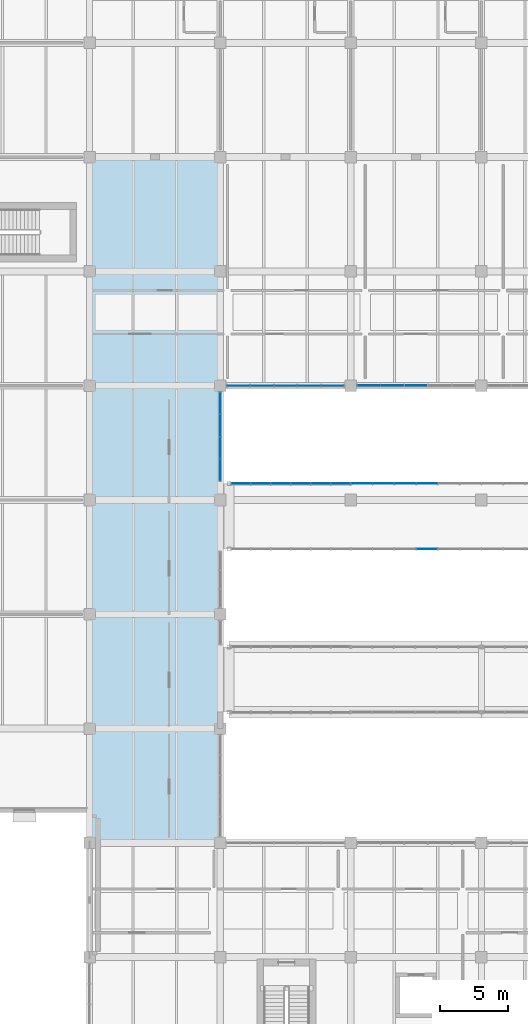
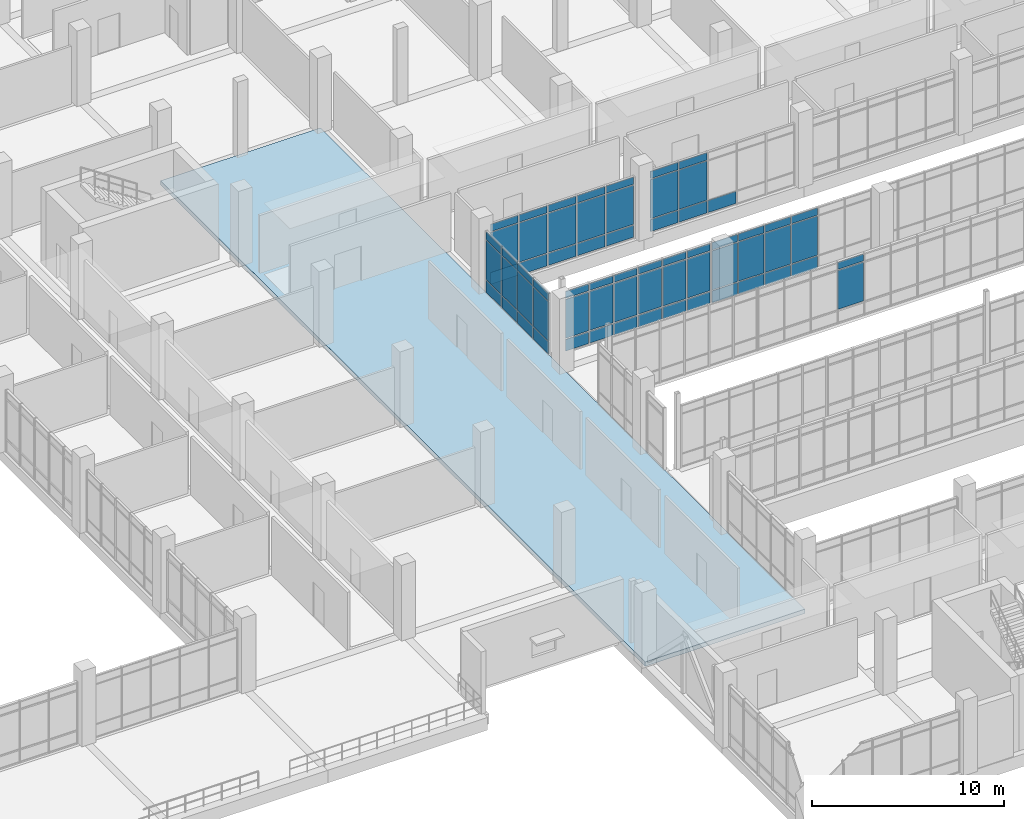
# One storey, part 99 of 152: 66 plates, 1 slab, 6 elements without a shape of their own.
"""IFC4 building model written with IfcOpenShell, lengths in metres."""

from ifc_helpers import new_model, si_unit, direction, frame, origin, origin_2d, place, context, subcontext, project, spatial, polyline, rectangle, outline, extrude, material, layer, layer_set, type_object, element, aggregate, save


model = new_model("IFC4")

# Units and contexts
model_context = context("Model", 3, precision=1e-05, world=origin(), true_north=direction((0.0, 1.0)))
body_context = subcontext(model_context, "Body", "Model", "MODEL_VIEW")
ifc_project = project(units=[si_unit("LENGTHUNIT", "METRE"), si_unit("AREAUNIT", "SQUARE_METRE"), si_unit("VOLUMEUNIT", "CUBIC_METRE"), si_unit("PLANEANGLEUNIT", "RADIAN"), si_unit("MASSUNIT", "GRAM", prefix="KILO")], contexts=[model_context])

# Site, building, storey
site_placement = place(None, origin())
site = spatial("IfcSite", under=ifc_project, at=site_placement, CompositionType="ELEMENT")
building_placement = place(site_placement, origin())
building = spatial("IfcBuilding", under=site, at=building_placement, Name="Oolite Switchyard Hospital", CompositionType="ELEMENT")
storey_placement = place(building_placement, frame((0.0, 0.0, 5.10009765625)))
storey = spatial("IfcBuildingStorey", under=building, at=storey_placement, Name="L01", CompositionType="ELEMENT", Elevation=5.10009765625)

# Curtain wall, plates
ifc_material_1 = material(Name="Thermally broken aluminum frame with laminated impact glazing", Category="aluminium")
curtain_wall_type_1 = type_object("IfcCurtainWallType", Name="CW-UNIT-84X48", PredefinedType="USERDEFINED", material=ifc_material_1)
curtain_wall_1_placement = place(storey_placement, origin())
curtain_wall_1 = element("IfcCurtainWall", 1, at=curtain_wall_1_placement, inside=storey, type_object=curtain_wall_type_1, Name="L01 Unitised Curtain Wall 194", ObjectType="UNITISED", PredefinedType="USERDEFINED")
ifc_material_2 = material(Name="Insulated fluoropolymer-coated aluminum spandrel panel", Category="aluminium")
ifc_layer_1 = layer(ifc_material_2, 0.070068359375)
ifc_layer_set_1 = layer_set([ifc_layer_1], Name="CW-PNL-SPN70")
plate_type_1 = type_object("IfcPlateType", Name="CW-PNL-SPN70", PredefinedType="CURTAIN_PANEL", material=ifc_layer_set_1)
plate_1_placement = place(storey_placement, frame((144.0, 57.52001953125, 0.06005859375), z_axis=(0.0, 0.0, 1.0), x_axis=(0.0, -1.0, 0.0)))
plate_1 = element("IfcPlate", 2, at=plate_1_placement, type_object=plate_type_1, Name="CW-07 panel 1.1", PredefinedType="CURTAIN_PANEL", context=body_context, shape_type="SweptSolid", body=[
    extrude(rectangle(XDim=1.56005859375, YDim=0.070068359375, at=origin_2d()), origin(), (0.0, 0.0, 1.0), 0.760009765625),
])
plate_2_placement = place(storey_placement, frame((144.0, 57.52001953125, 0.8798828125), z_axis=(0.0, 0.0, 1.0), x_axis=(0.0, -1.0, 0.0)))
plate_2 = element("IfcPlate", 3, at=plate_2_placement, type_object=plate_type_1, Name="CW-07 panel 1.2", PredefinedType="CURTAIN_PANEL", context=body_context, shape_type="SweptSolid", body=[
    extrude(rectangle(XDim=1.56005859375, YDim=0.070068359375, at=origin_2d()), origin(), (0.0, 0.0, 1.0), 2.47998046875),
])
plate_3_placement = place(storey_placement, frame((144.0, 57.52001953125, 3.419921875), z_axis=(0.0, 0.0, 1.0), x_axis=(0.0, -1.0, 0.0)))
plate_3 = element("IfcPlate", 4, at=plate_3_placement, type_object=plate_type_1, Name="CW-07 panel 1.3", PredefinedType="CURTAIN_PANEL", context=body_context, shape_type="SweptSolid", body=[
    extrude(rectangle(XDim=1.56005859375, YDim=0.070068359375, at=origin_2d()), origin(), (0.0, 0.0, 1.0), 0.4599609375),
])
plate_4_placement = place(storey_placement, frame((144.0, 55.885009765625, 0.06005859375), z_axis=(0.0, 0.0, 1.0), x_axis=(0.0, -1.0, 0.0)))
plate_4 = element("IfcPlate", 5, at=plate_4_placement, type_object=plate_type_1, Name="CW-07 panel 2.1", PredefinedType="CURTAIN_PANEL", context=body_context, shape_type="SweptSolid", body=[
    extrude(rectangle(XDim=1.590087890625, YDim=0.070068359375, at=origin_2d()), origin(), (0.0, 0.0, 1.0), 0.760009765625),
])
plate_5_placement = place(storey_placement, frame((144.0, 55.885009765625, 0.8798828125), z_axis=(0.0, 0.0, 1.0), x_axis=(0.0, -1.0, 0.0)))
plate_5 = element("IfcPlate", 6, at=plate_5_placement, type_object=plate_type_1, Name="CW-07 panel 2.2", PredefinedType="CURTAIN_PANEL", context=body_context, shape_type="SweptSolid", body=[
    extrude(rectangle(XDim=1.590087890625, YDim=0.070068359375, at=origin_2d()), origin(), (0.0, 0.0, 1.0), 2.47998046875),
])
plate_6_placement = place(storey_placement, frame((144.0, 55.885009765625, 3.419921875), z_axis=(0.0, 0.0, 1.0), x_axis=(0.0, -1.0, 0.0)))
plate_6 = element("IfcPlate", 7, at=plate_6_placement, type_object=plate_type_1, Name="CW-07 panel 2.3", PredefinedType="CURTAIN_PANEL", context=body_context, shape_type="SweptSolid", body=[
    extrude(rectangle(XDim=1.590087890625, YDim=0.070068359375, at=origin_2d()), origin(), (0.0, 0.0, 1.0), 0.4599609375),
])
plate_7_placement = place(storey_placement, frame((144.0, 54.235107421875, 0.06005859375), z_axis=(0.0, 0.0, 1.0), x_axis=(0.0, -1.0, 0.0)))
plate_7 = element("IfcPlate", 8, at=plate_7_placement, type_object=plate_type_1, Name="CW-07 panel 3.1", PredefinedType="CURTAIN_PANEL", context=body_context, shape_type="SweptSolid", body=[
    extrude(rectangle(XDim=1.590087890625, YDim=0.070068359375, at=origin_2d()), origin(), (0.0, 0.0, 1.0), 0.760009765625),
])
plate_8_placement = place(storey_placement, frame((144.0, 54.235107421875, 0.8798828125), z_axis=(0.0, 0.0, 1.0), x_axis=(0.0, -1.0, 0.0)))
plate_8 = element("IfcPlate", 9, at=plate_8_placement, type_object=plate_type_1, Name="CW-07 panel 3.2", PredefinedType="CURTAIN_PANEL", context=body_context, shape_type="SweptSolid", body=[
    extrude(rectangle(XDim=1.590087890625, YDim=0.070068359375, at=origin_2d()), origin(), (0.0, 0.0, 1.0), 2.47998046875),
])
plate_9_placement = place(storey_placement, frame((144.0, 54.235107421875, 3.419921875), z_axis=(0.0, 0.0, 1.0), x_axis=(0.0, -1.0, 0.0)))
plate_9 = element("IfcPlate", 10, at=plate_9_placement, type_object=plate_type_1, Name="CW-07 panel 3.3", PredefinedType="CURTAIN_PANEL", context=body_context, shape_type="SweptSolid", body=[
    extrude(rectangle(XDim=1.590087890625, YDim=0.070068359375, at=origin_2d()), origin(), (0.0, 0.0, 1.0), 0.4599609375),
])
plate_10_placement = place(storey_placement, frame((144.0, 52.60009765625, 0.06005859375), z_axis=(0.0, 0.0, 1.0), x_axis=(0.0, -1.0, 0.0)))
plate_10 = element("IfcPlate", 11, at=plate_10_placement, type_object=plate_type_1, Name="CW-07 panel 4.1", PredefinedType="CURTAIN_PANEL", context=body_context, shape_type="SweptSolid", body=[
    extrude(rectangle(XDim=1.56005859375, YDim=0.070068359375, at=origin_2d()), origin(), (0.0, 0.0, 1.0), 0.760009765625),
])
plate_11_placement = place(storey_placement, frame((144.0, 52.60009765625, 0.8798828125), z_axis=(0.0, 0.0, 1.0), x_axis=(0.0, -1.0, 0.0)))
plate_11 = element("IfcPlate", 12, at=plate_11_placement, type_object=plate_type_1, Name="CW-07 panel 4.2", PredefinedType="CURTAIN_PANEL", context=body_context, shape_type="SweptSolid", body=[
    extrude(rectangle(XDim=1.56005859375, YDim=0.070068359375, at=origin_2d()), origin(), (0.0, 0.0, 1.0), 2.47998046875),
])
plate_12_placement = place(storey_placement, frame((144.0, 52.60009765625, 3.419921875), z_axis=(0.0, 0.0, 1.0), x_axis=(0.0, -1.0, 0.0)))
plate_12 = element("IfcPlate", 13, at=plate_12_placement, type_object=plate_type_1, Name="CW-07 panel 4.3", PredefinedType="CURTAIN_PANEL", context=body_context, shape_type="SweptSolid", body=[
    extrude(rectangle(XDim=1.56005859375, YDim=0.070068359375, at=origin_2d()), origin(), (0.0, 0.0, 1.0), 0.4599609375),
])
aggregate(curtain_wall_1, [plate_1, plate_2, plate_3, plate_4, plate_5, plate_6, plate_7, plate_8, plate_9, plate_10, plate_11, plate_12])

curtain_wall_type_2 = type_object("IfcCurtainWallType", Name="CW-BRG-96X38", PredefinedType="USERDEFINED", material=ifc_material_1)
curtain_wall_2_placement = place(storey_placement, origin())
curtain_wall_2 = element("IfcCurtainWall", 14, at=curtain_wall_2_placement, inside=storey, type_object=curtain_wall_type_2, Name="L01 Unitised Curtain Wall 127", ObjectType="UNITISED", PredefinedType="USERDEFINED")
ifc_material_3 = material(Name="Laminated hurricane-impact insulated glazing unit", Category="glass")
ifc_layer_2 = layer(ifc_material_3, 0.028076171875)
ifc_layer_set_2 = layer_set([ifc_layer_2], Name="CW-PNL-VIS28")
plate_type_2 = type_object("IfcPlateType", Name="CW-PNL-VIS28", PredefinedType="CURTAIN_PANEL", material=ifc_layer_set_2)
plate_13_placement = place(storey_placement, frame((145.544677734375, 51.60009765625, 0.07470703125), z_axis=(0.0, 0.0, 1.0), x_axis=(1.0, 0.0, 0.0)))
plate_13 = element("IfcPlate", 15, at=plate_13_placement, type_object=plate_type_2, Name="CW-12 panel 1.1", PredefinedType="CURTAIN_PANEL", context=body_context, shape_type="SweptSolid", body=[
    extrude(rectangle(XDim=1.35546875, YDim=0.028076171875, at=origin_2d()), origin(), (0.0, 0.0, 1.0), 0.737548828125),
])
plate_14_placement = place(storey_placement, frame((145.544677734375, 51.60009765625, 0.88720703125), z_axis=(0.0, 0.0, 1.0), x_axis=(1.0, 0.0, 0.0)))
plate_14 = element("IfcPlate", 16, at=plate_14_placement, type_object=plate_type_2, Name="CW-12 panel 1.2", PredefinedType="CURTAIN_PANEL", context=body_context, shape_type="SweptSolid", body=[
    extrude(rectangle(XDim=1.35546875, YDim=0.028076171875, at=origin_2d()), origin(), (0.0, 0.0, 1.0), 2.465087890625),
])
plate_15_placement = place(storey_placement, frame((145.544677734375, 51.60009765625, 3.427490234375), z_axis=(0.0, 0.0, 1.0), x_axis=(1.0, 0.0, 0.0)))
plate_15 = element("IfcPlate", 17, at=plate_15_placement, type_object=plate_type_2, Name="CW-12 panel 1.3", PredefinedType="CURTAIN_PANEL", context=body_context, shape_type="SweptSolid", body=[
    extrude(rectangle(XDim=1.35546875, YDim=0.028076171875, at=origin_2d()), origin(), (0.0, 0.0, 1.0), 0.4375),
])
plate_16_placement = place(storey_placement, frame((146.993896484375, 51.60009765625, 0.07470703125), z_axis=(0.0, 0.0, 1.0), x_axis=(1.0, 0.0, 0.0)))
plate_16 = element("IfcPlate", 18, at=plate_16_placement, type_object=plate_type_2, Name="CW-12 panel 2.1", PredefinedType="CURTAIN_PANEL", context=body_context, shape_type="SweptSolid", body=[
    extrude(rectangle(XDim=1.39306640625, YDim=0.028076171875, at=origin_2d()), origin(), (0.0, 0.0, 1.0), 0.737548828125),
])
plate_17_placement = place(storey_placement, frame((146.993896484375, 51.60009765625, 0.88720703125), z_axis=(0.0, 0.0, 1.0), x_axis=(1.0, 0.0, 0.0)))
plate_17 = element("IfcPlate", 19, at=plate_17_placement, type_object=plate_type_2, Name="CW-12 panel 2.2", PredefinedType="CURTAIN_PANEL", context=body_context, shape_type="SweptSolid", body=[
    extrude(rectangle(XDim=1.39306640625, YDim=0.028076171875, at=origin_2d()), origin(), (0.0, 0.0, 1.0), 2.465087890625),
])
plate_18_placement = place(storey_placement, frame((146.993896484375, 51.60009765625, 3.427490234375), z_axis=(0.0, 0.0, 1.0), x_axis=(1.0, 0.0, 0.0)))
plate_18 = element("IfcPlate", 20, at=plate_18_placement, type_object=plate_type_2, Name="CW-12 panel 2.3", PredefinedType="CURTAIN_PANEL", context=body_context, shape_type="SweptSolid", body=[
    extrude(rectangle(XDim=1.39306640625, YDim=0.028076171875, at=origin_2d()), origin(), (0.0, 0.0, 1.0), 0.4375),
])
plate_19_placement = place(storey_placement, frame((148.4619140625, 51.60009765625, 0.07470703125), z_axis=(0.0, 0.0, 1.0), x_axis=(1.0, 0.0, 0.0)))
plate_19 = element("IfcPlate", 21, at=plate_19_placement, type_object=plate_type_2, Name="CW-12 panel 3.1", PredefinedType="CURTAIN_PANEL", context=body_context, shape_type="SweptSolid", body=[
    extrude(rectangle(XDim=1.39306640625, YDim=0.028076171875, at=origin_2d()), origin(), (0.0, 0.0, 1.0), 0.737548828125),
])
plate_20_placement = place(storey_placement, frame((148.4619140625, 51.60009765625, 0.88720703125), z_axis=(0.0, 0.0, 1.0), x_axis=(1.0, 0.0, 0.0)))
plate_20 = element("IfcPlate", 22, at=plate_20_placement, type_object=plate_type_2, Name="CW-12 panel 3.2", PredefinedType="CURTAIN_PANEL", context=body_context, shape_type="SweptSolid", body=[
    extrude(rectangle(XDim=1.39306640625, YDim=0.028076171875, at=origin_2d()), origin(), (0.0, 0.0, 1.0), 2.465087890625),
])
plate_21_placement = place(storey_placement, frame((148.4619140625, 51.60009765625, 3.427490234375), z_axis=(0.0, 0.0, 1.0), x_axis=(1.0, 0.0, 0.0)))
plate_21 = element("IfcPlate", 23, at=plate_21_placement, type_object=plate_type_2, Name="CW-12 panel 3.3", PredefinedType="CURTAIN_PANEL", context=body_context, shape_type="SweptSolid", body=[
    extrude(rectangle(XDim=1.39306640625, YDim=0.028076171875, at=origin_2d()), origin(), (0.0, 0.0, 1.0), 0.4375),
])
plate_22_placement = place(storey_placement, frame((149.929931640625, 51.60009765625, 0.07470703125), z_axis=(0.0, 0.0, 1.0), x_axis=(1.0, 0.0, 0.0)))
plate_22 = element("IfcPlate", 24, at=plate_22_placement, type_object=plate_type_2, Name="CW-12 panel 4.1", PredefinedType="CURTAIN_PANEL", context=body_context, shape_type="SweptSolid", body=[
    extrude(rectangle(XDim=1.39306640625, YDim=0.028076171875, at=origin_2d()), origin(), (0.0, 0.0, 1.0), 0.737548828125),
])
plate_23_placement = place(storey_placement, frame((149.929931640625, 51.60009765625, 0.88720703125), z_axis=(0.0, 0.0, 1.0), x_axis=(1.0, 0.0, 0.0)))
plate_23 = element("IfcPlate", 25, at=plate_23_placement, type_object=plate_type_2, Name="CW-12 panel 4.2", PredefinedType="CURTAIN_PANEL", context=body_context, shape_type="SweptSolid", body=[
    extrude(rectangle(XDim=1.39306640625, YDim=0.028076171875, at=origin_2d()), origin(), (0.0, 0.0, 1.0), 2.465087890625),
])
plate_24_placement = place(storey_placement, frame((149.929931640625, 51.60009765625, 3.427490234375), z_axis=(0.0, 0.0, 1.0), x_axis=(1.0, 0.0, 0.0)))
plate_24 = element("IfcPlate", 26, at=plate_24_placement, type_object=plate_type_2, Name="CW-12 panel 4.3", PredefinedType="CURTAIN_PANEL", context=body_context, shape_type="SweptSolid", body=[
    extrude(rectangle(XDim=1.39306640625, YDim=0.028076171875, at=origin_2d()), origin(), (0.0, 0.0, 1.0), 0.4375),
])
plate_25_placement = place(storey_placement, frame((151.39794921875, 51.60009765625, 0.07470703125), z_axis=(0.0, 0.0, 1.0), x_axis=(1.0, 0.0, 0.0)))
plate_25 = element("IfcPlate", 27, at=plate_25_placement, type_object=plate_type_2, Name="CW-12 panel 5.1", PredefinedType="CURTAIN_PANEL", context=body_context, shape_type="SweptSolid", body=[
    extrude(rectangle(XDim=1.39306640625, YDim=0.028076171875, at=origin_2d()), origin(), (0.0, 0.0, 1.0), 0.737548828125),
])
plate_26_placement = place(storey_placement, frame((151.39794921875, 51.60009765625, 0.88720703125), z_axis=(0.0, 0.0, 1.0), x_axis=(1.0, 0.0, 0.0)))
plate_26 = element("IfcPlate", 28, at=plate_26_placement, type_object=plate_type_2, Name="CW-12 panel 5.2", PredefinedType="CURTAIN_PANEL", context=body_context, shape_type="SweptSolid", body=[
    extrude(rectangle(XDim=1.39306640625, YDim=0.028076171875, at=origin_2d()), origin(), (0.0, 0.0, 1.0), 2.465087890625),
])
plate_27_placement = place(storey_placement, frame((151.39794921875, 51.60009765625, 3.427490234375), z_axis=(0.0, 0.0, 1.0), x_axis=(1.0, 0.0, 0.0)))
plate_27 = element("IfcPlate", 29, at=plate_27_placement, type_object=plate_type_2, Name="CW-12 panel 5.3", PredefinedType="CURTAIN_PANEL", context=body_context, shape_type="SweptSolid", body=[
    extrude(rectangle(XDim=1.39306640625, YDim=0.028076171875, at=origin_2d()), origin(), (0.0, 0.0, 1.0), 0.4375),
])
plate_28_placement = place(storey_placement, frame((152.84716796875, 51.60009765625, 0.07470703125), z_axis=(0.0, 0.0, 1.0), x_axis=(1.0, 0.0, 0.0)))
plate_28 = element("IfcPlate", 30, at=plate_28_placement, type_object=plate_type_2, Name="CW-12 panel 6.1", PredefinedType="CURTAIN_PANEL", context=body_context, shape_type="SweptSolid", body=[
    extrude(rectangle(XDim=1.35546875, YDim=0.028076171875, at=origin_2d()), origin(), (0.0, 0.0, 1.0), 0.737548828125),
])
plate_29_placement = place(storey_placement, frame((152.84716796875, 51.60009765625, 0.88720703125), z_axis=(0.0, 0.0, 1.0), x_axis=(1.0, 0.0, 0.0)))
plate_29 = element("IfcPlate", 31, at=plate_29_placement, type_object=plate_type_2, Name="CW-12 panel 6.2", PredefinedType="CURTAIN_PANEL", context=body_context, shape_type="SweptSolid", body=[
    extrude(rectangle(XDim=1.35546875, YDim=0.028076171875, at=origin_2d()), origin(), (0.0, 0.0, 1.0), 2.465087890625),
])
plate_30_placement = place(storey_placement, frame((152.84716796875, 51.60009765625, 3.427490234375), z_axis=(0.0, 0.0, 1.0), x_axis=(1.0, 0.0, 0.0)))
plate_30 = element("IfcPlate", 32, at=plate_30_placement, type_object=plate_type_2, Name="CW-12 panel 6.3", PredefinedType="CURTAIN_PANEL", context=body_context, shape_type="SweptSolid", body=[
    extrude(rectangle(XDim=1.35546875, YDim=0.028076171875, at=origin_2d()), origin(), (0.0, 0.0, 1.0), 0.4375),
])
aggregate(curtain_wall_2, [plate_13, plate_14, plate_15, plate_16, plate_17, plate_18, plate_19, plate_20, plate_21, plate_22, plate_23, plate_24, plate_25, plate_26, plate_27, plate_28, plate_29, plate_30])

curtain_wall_type_3 = type_object("IfcCurtainWallType", Name="CW-UNIT-96X48", PredefinedType="USERDEFINED", material=ifc_material_1)
curtain_wall_3_placement = place(storey_placement, origin())
curtain_wall_3 = element("IfcCurtainWall", 33, at=curtain_wall_3_placement, inside=storey, type_object=curtain_wall_type_3, Name="L01 Unitised Curtain Wall 130", ObjectType="UNITISED", PredefinedType="USERDEFINED")
plate_31_placement = place(storey_placement, frame((152.269287109375, 58.800048828125, 0.06005859375), z_axis=(0.0, 0.0, 1.0), x_axis=(-1.0, 0.0, 0.0)))
plate_31 = element("IfcPlate", 34, at=plate_31_placement, type_object=plate_type_2, Name="CW-02 panel 1.1", PredefinedType="CURTAIN_PANEL", context=body_context, shape_type="SweptSolid", body=[
    extrude(rectangle(XDim=1.631591796875, YDim=0.028076171875, at=origin_2d()), origin(), (0.0, 0.0, 1.0), 0.760009765625),
])
plate_32_placement = place(storey_placement, frame((152.269287109375, 58.800048828125, 0.8798828125), z_axis=(0.0, 0.0, 1.0), x_axis=(-1.0, 0.0, 0.0)))
plate_32 = element("IfcPlate", 35, at=plate_32_placement, type_object=plate_type_2, Name="CW-02 panel 1.2", PredefinedType="CURTAIN_PANEL", context=body_context, shape_type="SweptSolid", body=[
    extrude(rectangle(XDim=1.631591796875, YDim=0.028076171875, at=origin_2d()), origin(), (0.0, 0.0, 1.0), 2.47998046875),
])
plate_33_placement = place(storey_placement, frame((152.269287109375, 58.800048828125, 3.419921875), z_axis=(0.0, 0.0, 1.0), x_axis=(-1.0, 0.0, 0.0)))
plate_33 = element("IfcPlate", 36, at=plate_33_placement, type_object=plate_type_2, Name="CW-02 panel 1.3", PredefinedType="CURTAIN_PANEL", context=body_context, shape_type="SweptSolid", body=[
    extrude(rectangle(XDim=1.631591796875, YDim=0.028076171875, at=origin_2d()), origin(), (0.0, 0.0, 1.0), 0.4599609375),
])
plate_34_placement = place(storey_placement, frame((150.5439453125, 58.800048828125, 0.06005859375), z_axis=(0.0, 0.0, 1.0), x_axis=(-1.0, 0.0, 0.0)))
plate_34 = element("IfcPlate", 37, at=plate_34_placement, type_object=plate_type_2, Name="CW-02 panel 2.1", PredefinedType="CURTAIN_PANEL", context=body_context, shape_type="SweptSolid", body=[
    extrude(rectangle(XDim=1.6689453125, YDim=0.028076171875, at=origin_2d()), origin(), (0.0, 0.0, 1.0), 0.760009765625),
])
plate_35_placement = place(storey_placement, frame((150.5439453125, 58.800048828125, 0.8798828125), z_axis=(0.0, 0.0, 1.0), x_axis=(-1.0, 0.0, 0.0)))
plate_35 = element("IfcPlate", 38, at=plate_35_placement, type_object=plate_type_2, Name="CW-02 panel 2.2", PredefinedType="CURTAIN_PANEL", context=body_context, shape_type="SweptSolid", body=[
    extrude(rectangle(XDim=1.6689453125, YDim=0.028076171875, at=origin_2d()), origin(), (0.0, 0.0, 1.0), 2.47998046875),
])
plate_36_placement = place(storey_placement, frame((150.5439453125, 58.800048828125, 3.419921875), z_axis=(0.0, 0.0, 1.0), x_axis=(-1.0, 0.0, 0.0)))
plate_36 = element("IfcPlate", 39, at=plate_36_placement, type_object=plate_type_2, Name="CW-02 panel 2.3", PredefinedType="CURTAIN_PANEL", context=body_context, shape_type="SweptSolid", body=[
    extrude(rectangle(XDim=1.6689453125, YDim=0.028076171875, at=origin_2d()), origin(), (0.0, 0.0, 1.0), 0.4599609375),
])
plate_37_placement = place(storey_placement, frame((148.800048828125, 58.800048828125, 0.06005859375), z_axis=(0.0, 0.0, 1.0), x_axis=(-1.0, 0.0, 0.0)))
plate_37 = element("IfcPlate", 40, at=plate_37_placement, type_object=plate_type_2, Name="CW-02 panel 3.1", PredefinedType="CURTAIN_PANEL", context=body_context, shape_type="SweptSolid", body=[
    extrude(rectangle(XDim=1.6689453125, YDim=0.028076171875, at=origin_2d()), origin(), (0.0, 0.0, 1.0), 0.760009765625),
])
plate_38_placement = place(storey_placement, frame((148.800048828125, 58.800048828125, 0.8798828125), z_axis=(0.0, 0.0, 1.0), x_axis=(-1.0, 0.0, 0.0)))
plate_38 = element("IfcPlate", 41, at=plate_38_placement, type_object=plate_type_2, Name="CW-02 panel 3.2", PredefinedType="CURTAIN_PANEL", context=body_context, shape_type="SweptSolid", body=[
    extrude(rectangle(XDim=1.6689453125, YDim=0.028076171875, at=origin_2d()), origin(), (0.0, 0.0, 1.0), 2.47998046875),
])
plate_39_placement = place(storey_placement, frame((148.800048828125, 58.800048828125, 3.419921875), z_axis=(0.0, 0.0, 1.0), x_axis=(-1.0, 0.0, 0.0)))
plate_39 = element("IfcPlate", 42, at=plate_39_placement, type_object=plate_type_2, Name="CW-02 panel 3.3", PredefinedType="CURTAIN_PANEL", context=body_context, shape_type="SweptSolid", body=[
    extrude(rectangle(XDim=1.6689453125, YDim=0.028076171875, at=origin_2d()), origin(), (0.0, 0.0, 1.0), 0.4599609375),
])
plate_40_placement = place(storey_placement, frame((147.055908203125, 58.800048828125, 0.06005859375), z_axis=(0.0, 0.0, 1.0), x_axis=(-1.0, 0.0, 0.0)))
plate_40 = element("IfcPlate", 43, at=plate_40_placement, type_object=plate_type_2, Name="CW-02 panel 4.1", PredefinedType="CURTAIN_PANEL", context=body_context, shape_type="SweptSolid", body=[
    extrude(rectangle(XDim=1.6689453125, YDim=0.028076171875, at=origin_2d()), origin(), (0.0, 0.0, 1.0), 0.760009765625),
])
plate_41_placement = place(storey_placement, frame((147.055908203125, 58.800048828125, 0.8798828125), z_axis=(0.0, 0.0, 1.0), x_axis=(-1.0, 0.0, 0.0)))
plate_41 = element("IfcPlate", 44, at=plate_41_placement, type_object=plate_type_2, Name="CW-02 panel 4.2", PredefinedType="CURTAIN_PANEL", context=body_context, shape_type="SweptSolid", body=[
    extrude(rectangle(XDim=1.6689453125, YDim=0.028076171875, at=origin_2d()), origin(), (0.0, 0.0, 1.0), 2.47998046875),
])
plate_42_placement = place(storey_placement, frame((147.055908203125, 58.800048828125, 3.419921875), z_axis=(0.0, 0.0, 1.0), x_axis=(-1.0, 0.0, 0.0)))
plate_42 = element("IfcPlate", 45, at=plate_42_placement, type_object=plate_type_2, Name="CW-02 panel 4.3", PredefinedType="CURTAIN_PANEL", context=body_context, shape_type="SweptSolid", body=[
    extrude(rectangle(XDim=1.6689453125, YDim=0.028076171875, at=origin_2d()), origin(), (0.0, 0.0, 1.0), 0.4599609375),
])
plate_43_placement = place(storey_placement, frame((145.330810546875, 58.800048828125, 0.06005859375), z_axis=(0.0, 0.0, 1.0), x_axis=(-1.0, 0.0, 0.0)))
plate_43 = element("IfcPlate", 46, at=plate_43_placement, type_object=plate_type_2, Name="CW-02 panel 5.1", PredefinedType="CURTAIN_PANEL", context=body_context, shape_type="SweptSolid", body=[
    extrude(rectangle(XDim=1.631591796875, YDim=0.028076171875, at=origin_2d()), origin(), (0.0, 0.0, 1.0), 0.760009765625),
])
plate_44_placement = place(storey_placement, frame((145.330810546875, 58.800048828125, 0.8798828125), z_axis=(0.0, 0.0, 1.0), x_axis=(-1.0, 0.0, 0.0)))
plate_44 = element("IfcPlate", 47, at=plate_44_placement, type_object=plate_type_2, Name="CW-02 panel 5.2", PredefinedType="CURTAIN_PANEL", context=body_context, shape_type="SweptSolid", body=[
    extrude(rectangle(XDim=1.631591796875, YDim=0.028076171875, at=origin_2d()), origin(), (0.0, 0.0, 1.0), 2.47998046875),
])
plate_45_placement = place(storey_placement, frame((145.330810546875, 58.800048828125, 3.419921875), z_axis=(0.0, 0.0, 1.0), x_axis=(-1.0, 0.0, 0.0)))
plate_45 = element("IfcPlate", 48, at=plate_45_placement, type_object=plate_type_2, Name="CW-02 panel 5.3", PredefinedType="CURTAIN_PANEL", context=body_context, shape_type="SweptSolid", body=[
    extrude(rectangle(XDim=1.631591796875, YDim=0.028076171875, at=origin_2d()), origin(), (0.0, 0.0, 1.0), 0.4599609375),
])
aggregate(curtain_wall_3, [plate_31, plate_32, plate_33, plate_34, plate_35, plate_36, plate_37, plate_38, plate_39, plate_40, plate_41, plate_42, plate_43, plate_44, plate_45])

curtain_wall_4_placement = place(storey_placement, origin())
curtain_wall_4 = element("IfcCurtainWall", 49, at=curtain_wall_4_placement, inside=storey, type_object=curtain_wall_type_2, Name="L01 Unitised Curtain Wall 125", ObjectType="UNITISED", PredefinedType="USERDEFINED")
ifc_layer_3 = layer(ifc_material_3, 0.035888671875)
ifc_layer_set_3 = layer_set([ifc_layer_3], Name="CW-PNL-VIS36")
plate_type_3 = type_object("IfcPlateType", Name="CW-PNL-VIS36", PredefinedType="CURTAIN_PANEL", material=ifc_layer_set_3)
plate_46_placement = place(storey_placement, frame((159.199951171875, 46.800048828125, 0.88720703125), z_axis=(0.0, 0.0, 1.0), x_axis=(-1.0, 0.0, 0.0)))
plate_46 = element("IfcPlate", 50, at=plate_46_placement, type_object=plate_type_3, Name="CW-12 panel 9.2", PredefinedType="CURTAIN_PANEL", context=body_context, shape_type="SweptSolid", body=[
    extrude(rectangle(XDim=1.5400390625, YDim=0.035888671875, at=origin_2d()), origin(), (0.0, 0.0, 1.0), 2.465087890625),
])
plate_47_placement = place(storey_placement, frame((159.199951171875, 46.800048828125, 3.427490234375), z_axis=(0.0, 0.0, 1.0), x_axis=(-1.0, 0.0, 0.0)))
plate_47 = element("IfcPlate", 51, at=plate_47_placement, type_object=plate_type_3, Name="CW-12 panel 9.3", PredefinedType="CURTAIN_PANEL", context=body_context, shape_type="SweptSolid", body=[
    extrude(rectangle(XDim=1.5400390625, YDim=0.035888671875, at=origin_2d()), origin(), (0.0, 0.0, 1.0), 0.4375),
])
aggregate(curtain_wall_4, [plate_46, plate_47])

curtain_wall_5_placement = place(storey_placement, origin())
curtain_wall_5 = element("IfcCurtainWall", 52, at=curtain_wall_5_placement, inside=storey, type_object=curtain_wall_type_2, Name="L01 Unitised Curtain Wall 128", ObjectType="UNITISED", PredefinedType="USERDEFINED")
plate_48_placement = place(storey_placement, frame((154.4150390625, 51.60009765625, 0.06005859375), z_axis=(0.0, 0.0, 1.0), x_axis=(1.0, 0.0, 0.0)))
plate_48 = element("IfcPlate", 53, at=plate_48_placement, type_object=plate_type_3, Name="CW-12 panel 1.1", PredefinedType="CURTAIN_PANEL", context=body_context, shape_type="SweptSolid", body=[
    extrude(rectangle(XDim=1.510009765625, YDim=0.035888671875, at=origin_2d()), origin(), (0.0, 0.0, 1.0), 0.760009765625),
])
plate_49_placement = place(storey_placement, frame((154.4150390625, 51.60009765625, 0.8798828125), z_axis=(0.0, 0.0, 1.0), x_axis=(1.0, 0.0, 0.0)))
plate_49 = element("IfcPlate", 54, at=plate_49_placement, type_object=plate_type_3, Name="CW-12 panel 1.2", PredefinedType="CURTAIN_PANEL", context=body_context, shape_type="SweptSolid", body=[
    extrude(rectangle(XDim=1.510009765625, YDim=0.035888671875, at=origin_2d()), origin(), (0.0, 0.0, 1.0), 2.47998046875),
])
plate_50_placement = place(storey_placement, frame((154.4150390625, 51.60009765625, 3.419921875), z_axis=(0.0, 0.0, 1.0), x_axis=(1.0, 0.0, 0.0)))
plate_50 = element("IfcPlate", 55, at=plate_50_placement, type_object=plate_type_3, Name="CW-12 panel 1.3", PredefinedType="CURTAIN_PANEL", context=body_context, shape_type="SweptSolid", body=[
    extrude(rectangle(XDim=1.510009765625, YDim=0.035888671875, at=origin_2d()), origin(), (0.0, 0.0, 1.0), 0.4599609375),
])
plate_51_placement = place(storey_placement, frame((156.0, 51.60009765625, 0.06005859375), z_axis=(0.0, 0.0, 1.0), x_axis=(1.0, 0.0, 0.0)))
plate_51 = element("IfcPlate", 56, at=plate_51_placement, type_object=plate_type_3, Name="CW-12 panel 2.1", PredefinedType="CURTAIN_PANEL", context=body_context, shape_type="SweptSolid", body=[
    extrude(rectangle(XDim=1.5400390625, YDim=0.035888671875, at=origin_2d()), origin(), (0.0, 0.0, 1.0), 0.760009765625),
])
plate_52_placement = place(storey_placement, frame((156.0, 51.60009765625, 0.8798828125), z_axis=(0.0, 0.0, 1.0), x_axis=(1.0, 0.0, 0.0)))
plate_52 = element("IfcPlate", 57, at=plate_52_placement, type_object=plate_type_3, Name="CW-12 panel 2.2", PredefinedType="CURTAIN_PANEL", context=body_context, shape_type="SweptSolid", body=[
    extrude(rectangle(XDim=1.5400390625, YDim=0.035888671875, at=origin_2d()), origin(), (0.0, 0.0, 1.0), 2.47998046875),
])
plate_53_placement = place(storey_placement, frame((156.0, 51.60009765625, 3.419921875), z_axis=(0.0, 0.0, 1.0), x_axis=(1.0, 0.0, 0.0)))
plate_53 = element("IfcPlate", 58, at=plate_53_placement, type_object=plate_type_3, Name="CW-12 panel 2.3", PredefinedType="CURTAIN_PANEL", context=body_context, shape_type="SweptSolid", body=[
    extrude(rectangle(XDim=1.5400390625, YDim=0.035888671875, at=origin_2d()), origin(), (0.0, 0.0, 1.0), 0.4599609375),
])
plate_54_placement = place(storey_placement, frame((157.60009765625, 51.60009765625, 0.06005859375), z_axis=(0.0, 0.0, 1.0), x_axis=(1.0, 0.0, 0.0)))
plate_54 = element("IfcPlate", 59, at=plate_54_placement, type_object=plate_type_3, Name="CW-12 panel 3.1", PredefinedType="CURTAIN_PANEL", context=body_context, shape_type="SweptSolid", body=[
    extrude(rectangle(XDim=1.5400390625, YDim=0.035888671875, at=origin_2d()), origin(), (0.0, 0.0, 1.0), 0.760009765625),
])
plate_55_placement = place(storey_placement, frame((157.60009765625, 51.60009765625, 0.8798828125), z_axis=(0.0, 0.0, 1.0), x_axis=(1.0, 0.0, 0.0)))
plate_55 = element("IfcPlate", 60, at=plate_55_placement, type_object=plate_type_3, Name="CW-12 panel 3.2", PredefinedType="CURTAIN_PANEL", context=body_context, shape_type="SweptSolid", body=[
    extrude(rectangle(XDim=1.5400390625, YDim=0.035888671875, at=origin_2d()), origin(), (0.0, 0.0, 1.0), 2.47998046875),
])
plate_56_placement = place(storey_placement, frame((157.60009765625, 51.60009765625, 3.419921875), z_axis=(0.0, 0.0, 1.0), x_axis=(1.0, 0.0, 0.0)))
plate_56 = element("IfcPlate", 61, at=plate_56_placement, type_object=plate_type_3, Name="CW-12 panel 3.3", PredefinedType="CURTAIN_PANEL", context=body_context, shape_type="SweptSolid", body=[
    extrude(rectangle(XDim=1.5400390625, YDim=0.035888671875, at=origin_2d()), origin(), (0.0, 0.0, 1.0), 0.4599609375),
])
plate_57_placement = place(storey_placement, frame((159.199951171875, 51.60009765625, 0.06005859375), z_axis=(0.0, 0.0, 1.0), x_axis=(1.0, 0.0, 0.0)))
plate_57 = element("IfcPlate", 62, at=plate_57_placement, type_object=plate_type_3, Name="CW-12 panel 4.1", PredefinedType="CURTAIN_PANEL", context=body_context, shape_type="SweptSolid", body=[
    extrude(rectangle(XDim=1.5400390625, YDim=0.035888671875, at=origin_2d()), origin(), (0.0, 0.0, 1.0), 0.760009765625),
])
plate_58_placement = place(storey_placement, frame((159.199951171875, 51.60009765625, 0.8798828125), z_axis=(0.0, 0.0, 1.0), x_axis=(1.0, 0.0, 0.0)))
plate_58 = element("IfcPlate", 63, at=plate_58_placement, type_object=plate_type_3, Name="CW-12 panel 4.2", PredefinedType="CURTAIN_PANEL", context=body_context, shape_type="SweptSolid", body=[
    extrude(rectangle(XDim=1.5400390625, YDim=0.035888671875, at=origin_2d()), origin(), (0.0, 0.0, 1.0), 2.47998046875),
])
plate_59_placement = place(storey_placement, frame((159.199951171875, 51.60009765625, 3.419921875), z_axis=(0.0, 0.0, 1.0), x_axis=(1.0, 0.0, 0.0)))
plate_59 = element("IfcPlate", 64, at=plate_59_placement, type_object=plate_type_3, Name="CW-12 panel 4.3", PredefinedType="CURTAIN_PANEL", context=body_context, shape_type="SweptSolid", body=[
    extrude(rectangle(XDim=1.5400390625, YDim=0.035888671875, at=origin_2d()), origin(), (0.0, 0.0, 1.0), 0.4599609375),
])
aggregate(curtain_wall_5, [plate_48, plate_49, plate_50, plate_51, plate_52, plate_53, plate_54, plate_55, plate_56, plate_57, plate_58, plate_59])

curtain_wall_6_placement = place(storey_placement, origin())
curtain_wall_6 = element("IfcCurtainWall", 65, at=curtain_wall_6_placement, inside=storey, type_object=curtain_wall_type_3, Name="L01 Unitised Curtain Wall 132", ObjectType="UNITISED", PredefinedType="USERDEFINED")
ifc_layer_4 = layer(ifc_material_3, 0.0419921875)
ifc_layer_set_4 = layer_set([ifc_layer_4], Name="CW-PNL-VIS42")
plate_type_4 = type_object("IfcPlateType", Name="CW-PNL-VIS42", PredefinedType="CURTAIN_PANEL", material=ifc_layer_set_4)
plate_60_placement = place(storey_placement, frame((158.39990234375, 58.800048828125, 0.06005859375), z_axis=(0.0, 0.0, 1.0), x_axis=(-1.0, 0.0, 0.0)))
plate_60 = element("IfcPlate", 66, at=plate_60_placement, type_object=plate_type_4, Name="CW-02 panel 3.1", PredefinedType="CURTAIN_PANEL", context=body_context, shape_type="SweptSolid", body=[
    extrude(rectangle(XDim=1.674072265625, YDim=0.0419921875, at=origin_2d()), origin(), (0.0, 0.0, 1.0), 0.760009765625),
])
plate_61_placement = place(storey_placement, frame((156.656005859375, 58.800048828125, 0.06005859375), z_axis=(0.0, 0.0, 1.0), x_axis=(-1.0, 0.0, 0.0)))
plate_61 = element("IfcPlate", 67, at=plate_61_placement, type_object=plate_type_4, Name="CW-02 panel 4.1", PredefinedType="CURTAIN_PANEL", context=body_context, shape_type="SweptSolid", body=[
    extrude(rectangle(XDim=1.674072265625, YDim=0.0419921875, at=origin_2d()), origin(), (0.0, 0.0, 1.0), 0.760009765625),
])
plate_62_placement = place(storey_placement, frame((156.656005859375, 58.800048828125, 0.8798828125), z_axis=(0.0, 0.0, 1.0), x_axis=(-1.0, 0.0, 0.0)))
plate_62 = element("IfcPlate", 68, at=plate_62_placement, type_object=plate_type_4, Name="CW-02 panel 4.2", PredefinedType="CURTAIN_PANEL", context=body_context, shape_type="SweptSolid", body=[
    extrude(rectangle(XDim=1.674072265625, YDim=0.0419921875, at=origin_2d()), origin(), (0.0, 0.0, 1.0), 2.47998046875),
])
plate_63_placement = place(storey_placement, frame((156.656005859375, 58.800048828125, 3.419921875), z_axis=(0.0, 0.0, 1.0), x_axis=(-1.0, 0.0, 0.0)))
plate_63 = element("IfcPlate", 69, at=plate_63_placement, type_object=plate_type_4, Name="CW-02 panel 4.3", PredefinedType="CURTAIN_PANEL", context=body_context, shape_type="SweptSolid", body=[
    extrude(rectangle(XDim=1.674072265625, YDim=0.0419921875, at=origin_2d()), origin(), (0.0, 0.0, 1.0), 0.4599609375),
])
plate_64_placement = place(storey_placement, frame((154.929443359375, 58.800048828125, 0.06005859375), z_axis=(0.0, 0.0, 1.0), x_axis=(-1.0, 0.0, 0.0)))
plate_64 = element("IfcPlate", 70, at=plate_64_placement, type_object=plate_type_4, Name="CW-02 panel 5.1", PredefinedType="CURTAIN_PANEL", context=body_context, shape_type="SweptSolid", body=[
    extrude(rectangle(XDim=1.638916015625, YDim=0.0419921875, at=origin_2d()), origin(), (0.0, 0.0, 1.0), 0.760009765625),
])
plate_65_placement = place(storey_placement, frame((154.929443359375, 58.800048828125, 0.8798828125), z_axis=(0.0, 0.0, 1.0), x_axis=(-1.0, 0.0, 0.0)))
plate_65 = element("IfcPlate", 71, at=plate_65_placement, type_object=plate_type_4, Name="CW-02 panel 5.2", PredefinedType="CURTAIN_PANEL", context=body_context, shape_type="SweptSolid", body=[
    extrude(rectangle(XDim=1.638916015625, YDim=0.0419921875, at=origin_2d()), origin(), (0.0, 0.0, 1.0), 2.47998046875),
])
plate_66_placement = place(storey_placement, frame((154.929443359375, 58.800048828125, 3.419921875), z_axis=(0.0, 0.0, 1.0), x_axis=(-1.0, 0.0, 0.0)))
plate_66 = element("IfcPlate", 72, at=plate_66_placement, type_object=plate_type_4, Name="CW-02 panel 5.3", PredefinedType="CURTAIN_PANEL", context=body_context, shape_type="SweptSolid", body=[
    extrude(rectangle(XDim=1.638916015625, YDim=0.0419921875, at=origin_2d()), origin(), (0.0, 0.0, 1.0), 0.4599609375),
])
aggregate(curtain_wall_6, [plate_60, plate_61, plate_62, plate_63, plate_64, plate_65, plate_66])

# Slab
ifc_material_4 = material(Name="Concrete C40/50", Category="concrete")
ifc_layer_5 = layer(ifc_material_4, 0.27490234375)
ifc_layer_set_5 = layer_set([ifc_layer_5], Name="SLB-FLR-275")
slab_type = type_object("IfcSlabType", Name="SLB-FLR-275", PredefinedType="FLOOR", material=ifc_layer_set_5)
slab_placement = place(storey_placement, frame((0.0, 0.0, -0.275146484375)))
element("IfcSlab", 73, at=slab_placement, inside=storey, type_object=slab_type, Name="L01 V6 Slab V6W", PredefinedType="FLOOR", context=body_context, shape_type="SweptSolid", body=[
    extrude(outline(polyline([(134.39990234375, 25.199951171875), (144.0, 25.199951171875), (144.0, 75.60009765625), (134.39990234375, 75.60009765625), (134.39990234375, 25.199951171875)])), origin(), (0.0, 0.0, 1.0), 0.275146484375),
])

save(model, "model.ifc")
